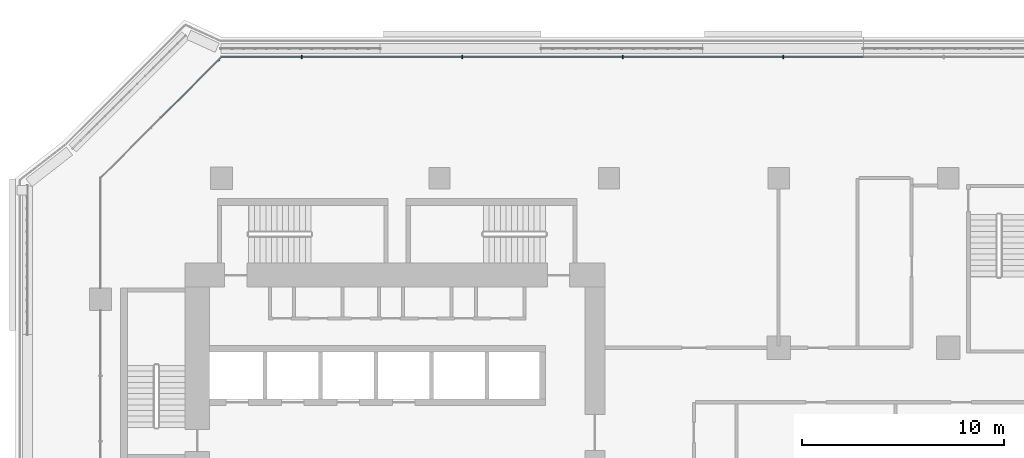
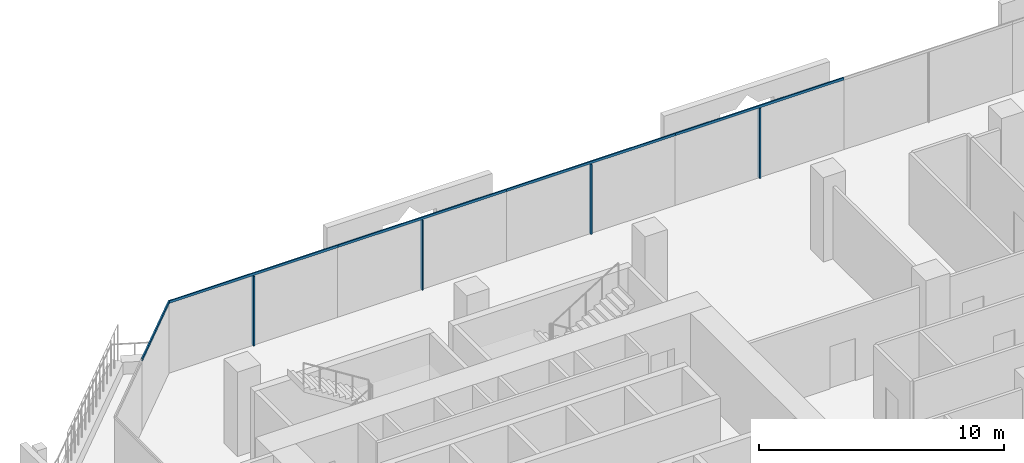
# One storey, part 8 of 25: 9 members, 2 elements without a shape of their own.
"""IFC4 building model written with IfcOpenShell, lengths in metres."""

from ifc_helpers import new_model, si_unit, direction, frame, origin, origin_2d, place, context, subcontext, project, spatial, rectangle, extrude, material, layer, layer_set, material_profile, profile_set, type_object, element, aggregate, save


model = new_model("IFC4")

# Units and contexts
model_context = context("Model", 3, precision=1e-05, world=origin(), true_north=direction((0.0, 1.0)))
body_context = subcontext(model_context, "Body", "Model", "MODEL_VIEW")
ifc_project = project(units=[si_unit("LENGTHUNIT", "METRE"), si_unit("AREAUNIT", "SQUARE_METRE"), si_unit("VOLUMEUNIT", "CUBIC_METRE"), si_unit("PLANEANGLEUNIT", "RADIAN"), si_unit("MASSUNIT", "GRAM", prefix="KILO")], contexts=[model_context])

# Site, building, storey
site_placement = place(None, origin())
site = spatial("IfcSite", under=ifc_project, at=site_placement, CompositionType="ELEMENT")
building_placement = place(site_placement, origin())
building = spatial("IfcBuilding", under=site, at=building_placement, Name="Kawkab Arch Medical Tower", CompositionType="ELEMENT")
storey_placement = place(building_placement, frame((0.0, 0.0, 132.39990234375)))
storey = spatial("IfcBuildingStorey", under=building, at=storey_placement, Name="L30", CompositionType="ELEMENT", Elevation=132.39990234375)

# Curtain wall, members
ifc_material_1 = material(Name="Bronze anodised aluminium curtain wall frame", Category="aluminium")
ifc_layer_1 = layer(ifc_material_1, 0.159912109375)
ifc_layer_set_1 = layer_set([ifc_layer_1], Name="Bronze anodised aluminium curtain wall frame")
curtain_wall_type_1 = type_object("IfcCurtainWallType", Name="CW1 ward curtain wall", PredefinedType="NOTDEFINED", material=ifc_layer_set_1)
placement = place(storey_placement, origin())
curtain_wall_1 = element("IfcCurtainWall", 1, at=placement, inside=storey, type_object=curtain_wall_type_1, Name="CW1 Ward curtain wall R11", PredefinedType="NOTDEFINED")
ifc_material_2 = material(Name="Bronze anodised aluminium curtain wall frame", Category="aluminium")
ifc_material_profile_1 = material_profile(ifc_material_2, rectangle(XDim=0.179931640625, YDim=0.06005859375, at=origin_2d()), Name="AL 60x180")
ifc_profile_set_1 = profile_set([ifc_material_profile_1], Name="Bronze anodised aluminium curtain wall frame")
member_type_1 = type_object("IfcMemberType", Name="CW1 mullion 60 x 180", PredefinedType="MULLION", material=ifc_profile_set_1)
member_1_placement = place(storey_placement, frame((33.824951171875, 6.0, 0.0), z_axis=(0.0, 0.0, 1.0), x_axis=(0.0, -1.0, 0.0)))
member_1 = element("IfcMember", 2, at=member_1_placement, type_object=member_type_1, Name="CW1 mullion 5.1", PredefinedType="MULLION", context=body_context, shape_type="SweptSolid", body=[
    extrude(rectangle(XDim=0.179931640625, YDim=0.06005859375, at=origin_2d()), origin(), (0.0, 0.0, 1.0), 3.47998046875),
])
member_2_placement = place(storey_placement, frame((25.875, 6.0, 0.0), z_axis=(0.0, 0.0, 1.0), x_axis=(0.0, -1.0, 0.0)))
member_2 = element("IfcMember", 3, at=member_2_placement, type_object=member_type_1, Name="CW1 mullion 6.1", PredefinedType="MULLION", context=body_context, shape_type="SweptSolid", body=[
    extrude(rectangle(XDim=0.179931640625, YDim=0.06005859375, at=origin_2d()), origin(), (0.0, 0.0, 1.0), 3.47998046875),
])
member_3_placement = place(storey_placement, frame((17.925048828125, 6.0, 0.0), z_axis=(0.0, 0.0, 1.0), x_axis=(0.0, -1.0, 0.0)))
member_3 = element("IfcMember", 4, at=member_3_placement, type_object=member_type_1, Name="CW1 mullion 7.1", PredefinedType="MULLION", context=body_context, shape_type="SweptSolid", body=[
    extrude(rectangle(XDim=0.179931640625, YDim=0.06005859375, at=origin_2d()), origin(), (0.0, 0.0, 1.0), 3.47998046875),
])
member_4_placement = place(storey_placement, frame((9.97509765625, 6.0, 0.0), z_axis=(0.0, 0.0, 1.0), x_axis=(0.0, -1.0, 0.0)))
member_4 = element("IfcMember", 5, at=member_4_placement, type_object=member_type_1, Name="CW1 mullion 8.1", PredefinedType="MULLION", context=body_context, shape_type="SweptSolid", body=[
    extrude(rectangle(XDim=0.179931640625, YDim=0.06005859375, at=origin_2d()), origin(), (0.0, 0.0, 1.0), 3.47998046875),
])
ifc_material_3 = material(Name="Bronze anodised aluminium curtain wall frame", Category="aluminium")
ifc_material_profile_2 = material_profile(ifc_material_3, rectangle(XDim=0.06005859375, YDim=0.1201171875, at=origin_2d()), Name="AL 60x120")
ifc_profile_set_2 = profile_set([ifc_material_profile_2], Name="Bronze anodised aluminium curtain wall frame")
member_type_2 = type_object("IfcMemberType", Name="CW1 transom 120 x 60", PredefinedType="USERDEFINED", material=ifc_profile_set_2)
member_5_placement = place(storey_placement, frame((37.800048828125, 6.0, 3.5400390625), z_axis=(-1.0, 0.0, 0.0), x_axis=(0.0, -1.0, 0.0)))
member_5 = element("IfcMember", 6, at=member_5_placement, type_object=member_type_2, Name="CW1 transom 5", ObjectType="TRANSOM", PredefinedType="USERDEFINED", context=body_context, shape_type="SweptSolid", body=[
    extrude(rectangle(XDim=0.06005859375, YDim=0.1201171875, at=origin_2d()), origin(), (0.0, 0.0, 1.0), 7.949951171875),
])
member_6_placement = place(storey_placement, frame((29.85009765625, 6.0, 3.5400390625), z_axis=(-1.0, 0.0, 0.0), x_axis=(0.0, -1.0, 0.0)))
member_6 = element("IfcMember", 7, at=member_6_placement, type_object=member_type_2, Name="CW1 transom 6", ObjectType="TRANSOM", PredefinedType="USERDEFINED", context=body_context, shape_type="SweptSolid", body=[
    extrude(rectangle(XDim=0.06005859375, YDim=0.1201171875, at=origin_2d()), origin(), (0.0, 0.0, 1.0), 7.9501953125),
])
member_7_placement = place(storey_placement, frame((21.89990234375, 6.0, 3.5400390625), z_axis=(-1.0, 0.0, 0.0), x_axis=(0.0, -1.0, 0.0)))
member_7 = element("IfcMember", 8, at=member_7_placement, type_object=member_type_2, Name="CW1 transom 7", ObjectType="TRANSOM", PredefinedType="USERDEFINED", context=body_context, shape_type="SweptSolid", body=[
    extrude(rectangle(XDim=0.06005859375, YDim=0.1201171875, at=origin_2d()), origin(), (0.0, 0.0, 1.0), 7.949951171875),
])
member_8_placement = place(storey_placement, frame((13.949951171875, 6.0, 3.5400390625), z_axis=(-1.0, 0.0, 0.0), x_axis=(0.0, -1.0, 0.0)))
member_8 = element("IfcMember", 9, at=member_8_placement, type_object=member_type_2, Name="CW1 transom 8", ObjectType="TRANSOM", PredefinedType="USERDEFINED", context=body_context, shape_type="SweptSolid", body=[
    extrude(rectangle(XDim=0.06005859375, YDim=0.1201171875, at=origin_2d()), origin(), (0.0, 0.0, 1.0), 7.949951171875),
])
aggregate(curtain_wall_1, [member_5, member_1, member_6, member_2, member_7, member_3, member_8, member_4])

# Curtain wall, member
ifc_material_4 = material(Name="Bronze anodised aluminium curtain wall frame", Category="aluminium")
ifc_layer_2 = layer(ifc_material_4, 0.159912109375)
ifc_layer_set_2 = layer_set([ifc_layer_2], Name="Bronze anodised aluminium curtain wall frame")
curtain_wall_type_2 = type_object("IfcCurtainWallType", Name="CW2 chamfer curtain wall", PredefinedType="NOTDEFINED", material=ifc_layer_set_2)
curtain_wall_2 = element("IfcCurtainWall", 10, at=placement, inside=storey, type_object=curtain_wall_type_2, Name="CW2 Chamfer curtain wall R12", PredefinedType="NOTDEFINED")
ifc_material_5 = material(Name="Bronze anodised aluminium curtain wall frame", Category="aluminium")
ifc_material_profile_3 = material_profile(ifc_material_5, rectangle(XDim=0.06005859375, YDim=0.139892578125, at=origin_2d()), Name="AL 60x140")
ifc_profile_set_3 = profile_set([ifc_material_profile_3], Name="Bronze anodised aluminium curtain wall frame")
member_type_3 = type_object("IfcMemberType", Name="CW2 transom 140 x 60", PredefinedType="USERDEFINED", material=ifc_profile_set_3)
member_9_placement = place(storey_placement, frame((6.0, 6.0, 3.530029296875), z_axis=(-0.707106781187, -0.707106781187, 0.0), x_axis=(0.707106781187, -0.707106781187, 0.0)))
member_9 = element("IfcMember", 11, at=member_9_placement, type_object=member_type_3, Name="CW2 transom 1", ObjectType="TRANSOM", PredefinedType="USERDEFINED", context=body_context, shape_type="SweptSolid", body=[
    extrude(rectangle(XDim=0.06005859375, YDim=0.139892578125, at=origin_2d()), origin(), (0.0, 0.0, 1.0), 4.24267578125),
])
aggregate(curtain_wall_2, [member_9])

save(model, "model.ifc")
